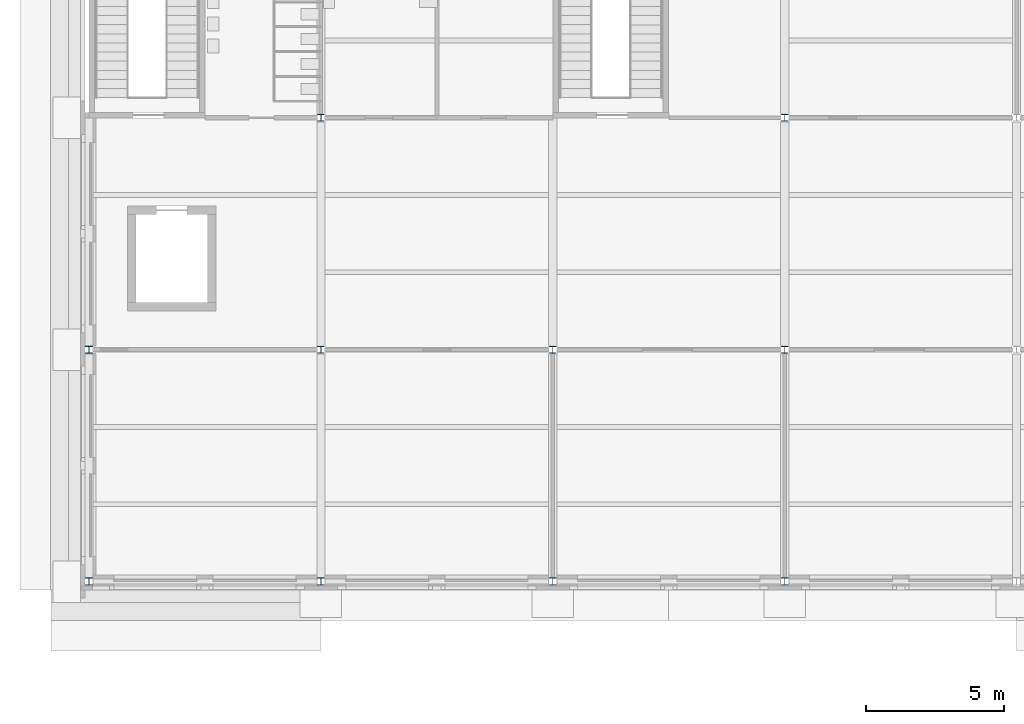
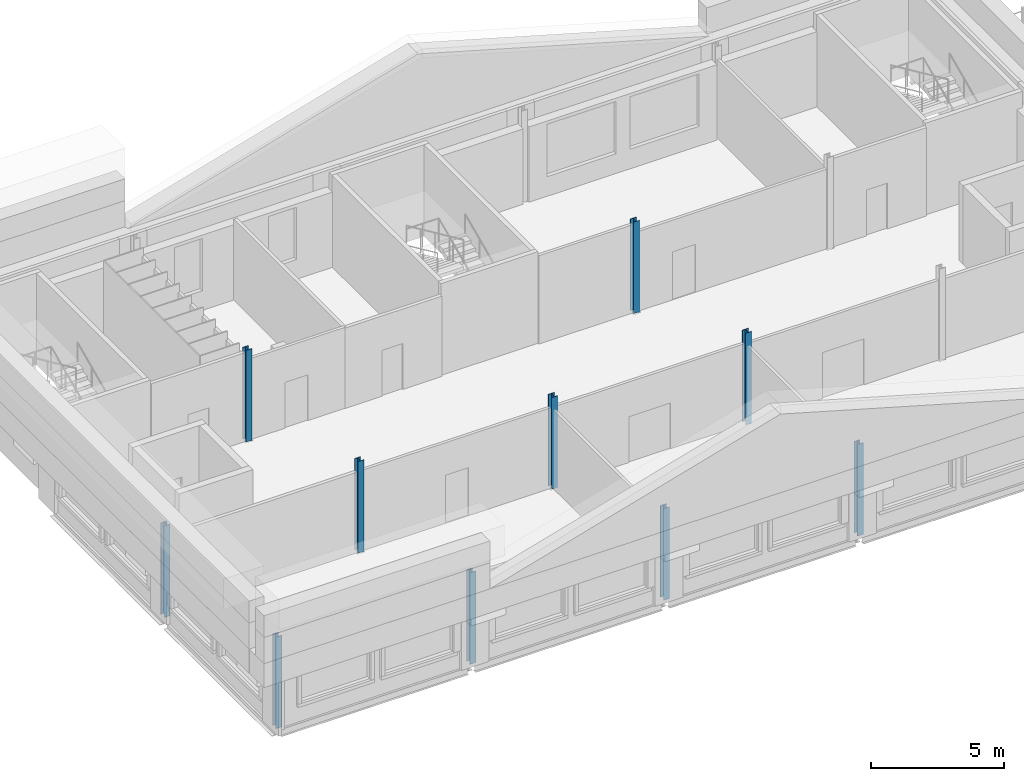
# One storey, part 1 of 76: 10 columns.
"""IFC4 building model written with IfcOpenShell, lengths in metres."""

from ifc_helpers import new_model, si_unit, direction, frame, origin, origin_2d, place, context, subcontext, project, spatial, i_section, extrude, material, material_profile, profile_set, type_object, element, save


model = new_model("IFC4")

# Units and contexts
model_context = context("Model", 3, precision=1e-05, world=origin(), true_north=direction((0.0, 1.0)))
body_context = subcontext(model_context, "Body", "Model", "MODEL_VIEW")
ifc_project = project(units=[si_unit("LENGTHUNIT", "METRE"), si_unit("AREAUNIT", "SQUARE_METRE"), si_unit("VOLUMEUNIT", "CUBIC_METRE"), si_unit("PLANEANGLEUNIT", "RADIAN"), si_unit("MASSUNIT", "GRAM", prefix="KILO")], contexts=[model_context])

# Site, building, storey
site_placement = place(None, origin())
site = spatial("IfcSite", under=ifc_project, at=site_placement, CompositionType="ELEMENT")
building_placement = place(site_placement, origin())
building = spatial("IfcBuilding", under=site, at=building_placement, Name="Sava Quay Ferry Terminal", CompositionType="ELEMENT")
storey_placement = place(building_placement, frame((0.0, 0.0, 10.800048828125)))
storey = spatial("IfcBuildingStorey", under=building, at=storey_placement, Name="L02", CompositionType="ELEMENT", Elevation=10.800048828125)

# Columns
ifc_material = material(Name="Steel S355", Category="steel")
ifc_material_profile = material_profile(ifc_material, i_section(OverallWidth=0.260009765625, OverallDepth=0.260009765625, WebThickness=0.010009765625, FlangeThickness=0.017578125, at=origin_2d()), Name="HE 260 B")
ifc_profile_set = profile_set([ifc_material_profile], Name="Steel S355")
column_type = type_object("IfcColumnType", Name="Column HE 260 B", PredefinedType="COLUMN", material=ifc_profile_set)
for number, where, z_axis, x_axis, name in (
    (1, (0.0, 25.199951171875, 0.0), (0.0, 0.0, 1.0), (1.0, 0.0, 0.0), "Column L02 0/25.2"),
    (2, (0.0, 33.60009765625, 0.0), (0.0, 0.0, 1.0), (1.0, 0.0, 0.0), "Column L02 0/33.6"),
    (3, (8.39990234375, 25.199951171875, 0.0), (0.0, 0.0, 1.0), (1.0, 0.0, 0.0), "Column L02 8.4/25.2"),
    (4, (8.39990234375, 33.60009765625, 0.0), (0.0, 0.0, 1.0), (1.0, 0.0, 0.0), "Column L02 8.4/33.6"),
    (5, (8.39990234375, 42.0, 0.0), (0.0, 0.0, 1.0), (1.0, 0.0, 0.0), "Column L02 8.4/42"),
    (6, (16.800048828125, 25.199951171875, 0.0), (0.0, 0.0, 1.0), (1.0, 0.0, 0.0), "Column L02 16.8/25.2"),
    (7, (16.800048828125, 33.60009765625, 0.0), (0.0, 0.0, 1.0), (1.0, 0.0, 0.0), "Column L02 16.8/33.6"),
    (8, (25.199951171875, 25.199951171875, 0.0), (0.0, 0.0, 1.0), (1.0, 0.0, 0.0), "Column L02 25.2/25.2"),
    (9, (25.199951171875, 33.60009765625, 0.0), (0.0, 0.0, 1.0), (1.0, 0.0, 0.0), "Column L02 25.2/33.6"),
    (10, (25.199951171875, 42.0, 0.0), (0.0, 0.0, 1.0), (1.0, 0.0, 0.0), "Column L02 25.2/42"),
):
    element("IfcColumn", number, at=place(storey_placement, frame(where, z_axis=z_axis, x_axis=x_axis)), inside=storey, type_object=column_type, Name=name, PredefinedType="COLUMN", context=body_context, shape_type="SweptSolid", body=[
        extrude(i_section(OverallWidth=0.260009765625, OverallDepth=0.260009765625, WebThickness=0.010009765625, FlangeThickness=0.017578125, at=origin_2d()), origin(), (0.0, 0.0, 1.0), 4.199951171875),
    ])

save(model, "model.ifc")
